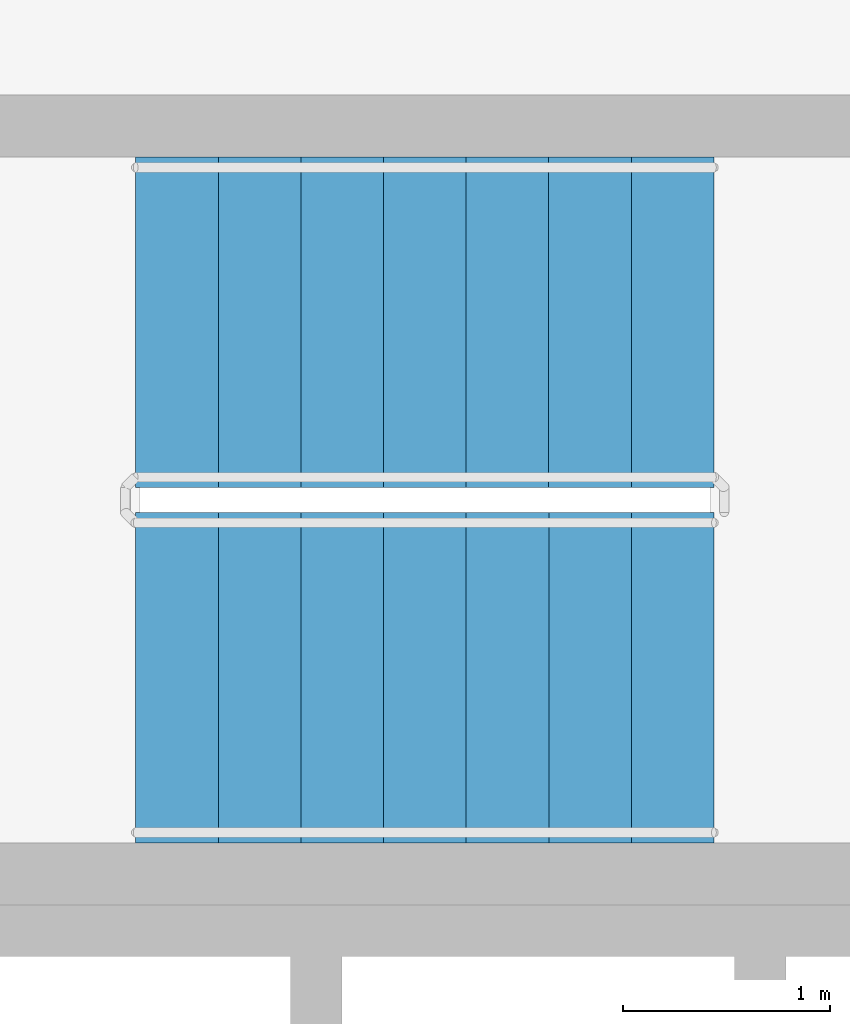
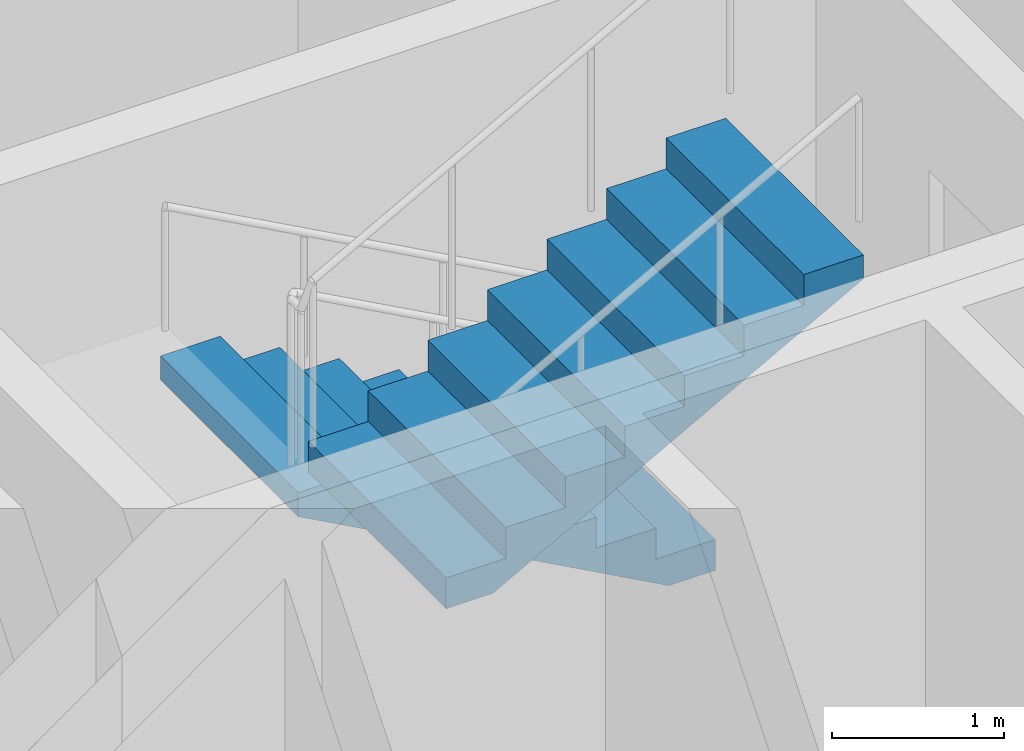
# One storey, part 17 of 18: 2 stair flights, 1 element without a shape of its own.
"""IFC4 building model written with IfcOpenShell, lengths in metres."""

from ifc_helpers import new_model, si_unit, direction, frame, origin, place, context, subcontext, project, spatial, polyline, outline, extrude, material, type_object, element, aggregate, save


model = new_model("IFC4")

# Units and contexts
model_context = context("Model", 3, precision=1e-05, world=origin(), true_north=direction((0.0, 1.0)))
body_context = subcontext(model_context, "Body", "Model", "MODEL_VIEW")
ifc_project = project(units=[si_unit("LENGTHUNIT", "METRE"), si_unit("AREAUNIT", "SQUARE_METRE"), si_unit("VOLUMEUNIT", "CUBIC_METRE"), si_unit("PLANEANGLEUNIT", "RADIAN"), si_unit("MASSUNIT", "GRAM", prefix="KILO")], contexts=[model_context])

# Site, building, storey
site_placement = place(None, origin())
site = spatial("IfcSite", under=ifc_project, at=site_placement, CompositionType="ELEMENT")
building_placement = place(site_placement, origin())
building = spatial("IfcBuilding", under=site, at=building_placement, Name="Spindle Arch Residences", CompositionType="ELEMENT")
storey_placement = place(building_placement, frame((0.0, 0.0, 240.699951171875)))
storey = spatial("IfcBuildingStorey", under=building, at=storey_placement, Name="L61", CompositionType="ELEMENT", Elevation=240.699951171875)

# Stair, stair flights
ifc_material_1 = material(Name="Concrete C50/60", Category="concrete")
stair_type = type_object("IfcStairType", Name="Exit stair 16 risers", PredefinedType="HALF_TURN_STAIR", material=ifc_material_1)
stair_placement = place(storey_placement, origin())
stair = element("IfcStair", 1, at=stair_placement, inside=storey, type_object=stair_type, Name="L61 Exit stair ST1", PredefinedType="HALF_TURN_STAIR")
ifc_material_2 = material(Name="Concrete C50/60", Category="concrete")
stair_flight_type = type_object("IfcStairFlightType", Name="Exit stair flight", PredefinedType="STRAIGHT", material=ifc_material_2)
stair_flight_1_placement = place(storey_placement, frame((5.14990234375, 7.8701171875, 0.0), z_axis=(0.0, 0.0, 1.0), x_axis=(-1.0, 0.0, 0.0)))
stair_flight_1 = element("IfcStairFlight", 2, at=stair_flight_1_placement, type_object=stair_flight_type, Name="ST1 flight 1", NumberOfRisers=8, NumberOfTreads=7, PredefinedType="STRAIGHT", RiserHeight=0.21875, TreadLength=0.4, context=body_context, shape_type="SweptSolid", body=[
    extrude(outline(polyline([(0.0, 0.0), (0.0, 0.21875), (0.39990234375, 0.21875), (0.39990234375, 0.4375), (0.800048828125, 0.4375), (0.800048828125, 0.65625), (1.199951171875, 0.65625), (1.199951171875, 0.875), (1.60009765625, 0.875), (1.60009765625, 1.09375), (2.0, 1.09375), (2.0, 1.3125), (2.39990234375, 1.3125), (2.39990234375, 1.53125), (2.800048828125, 1.53125), (2.800048828125, 1.75), (2.800048828125, 1.3603515625), (0.3125, 0.0), (0.0, 0.0)])), frame((0.0, 0.800048828125, 0.0), z_axis=(0.0, -1.0, 0.0), x_axis=(1.0, 0.0, 0.0)), (0.0, 0.0, 1.0), 1.60009765625),
])
stair_flight_2_placement = place(storey_placement, frame((2.35009765625, 6.14990234375, 1.75), z_axis=(0.0, 0.0, 1.0), x_axis=(1.0, 0.0, 0.0)))
stair_flight_2 = element("IfcStairFlight", 3, at=stair_flight_2_placement, type_object=stair_flight_type, Name="ST1 flight 2", NumberOfRisers=8, NumberOfTreads=7, PredefinedType="STRAIGHT", RiserHeight=0.21875, TreadLength=0.4, context=body_context, shape_type="SweptSolid", body=[
    extrude(outline(polyline([(0.0, 0.0), (0.0, 0.21875), (0.39990234375, 0.21875), (0.39990234375, 0.4375), (0.800048828125, 0.4375), (0.800048828125, 0.65625), (1.199951171875, 0.65625), (1.199951171875, 0.875), (1.60009765625, 0.875), (1.60009765625, 1.09375), (2.0, 1.09375), (2.0, 1.3125), (2.39990234375, 1.3125), (2.39990234375, 1.53125), (2.800048828125, 1.53125), (2.800048828125, 1.75), (2.800048828125, 1.3603515625), (0.3125, 0.0), (0.0, 0.0)])), frame((0.0, 0.800048828125, 0.0), z_axis=(0.0, -1.0, 0.0), x_axis=(1.0, 0.0, 0.0)), (0.0, 0.0, 1.0), 1.60009765625),
])
aggregate(stair, [stair_flight_1, stair_flight_2])

save(model, "model.ifc")
